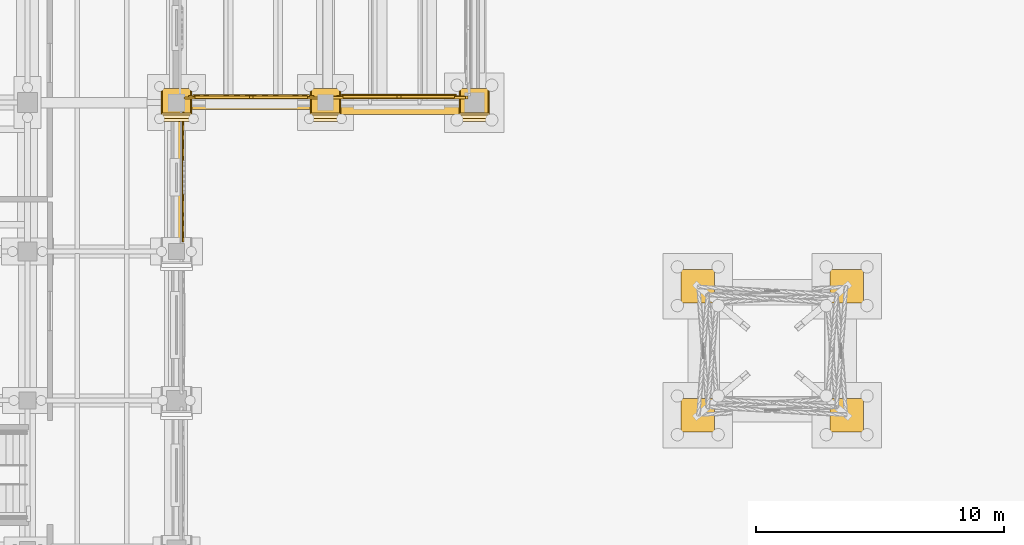
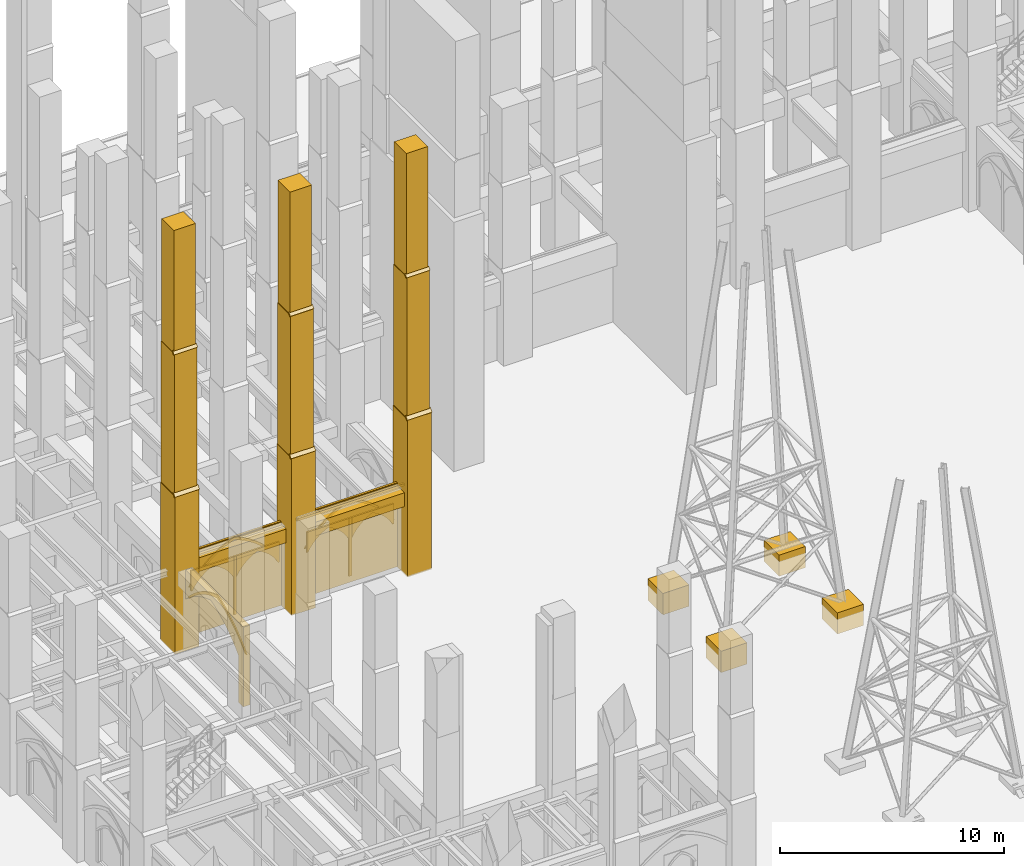
# One storey, part 102 of 135: 36 coverings.
"""IFC4 building model written with IfcOpenShell, lengths in metres."""

import ifcopenshell
import ifcopenshell.guid

model = None  # the IFC model being written
_history = None  # IfcOwnerHistory: only IFC2X3 demands one
_inside = {}  # id of a spatial element -> (the spatial element, [elements in it])
_under = {}  # id of a project, library or spatial element -> (it, [spatial elements below it])
_declared = {}  # id of a project -> (the project, [libraries it declares])
_typed = {}  # id of a type object -> (the type object, [elements of that type])
_made_of = {}  # id of a material, layer set ... -> (it, [elements and type objects made of it])


def new_model(schema):
    """Start an empty IFC model of exactly this schema.

    Asked for "IFC4X3", IfcOpenShell would pick the latest addendum, in which some entities
    have other attributes; the version numbers below select the first issue.
    IFC2X3 requires an IfcOwnerHistory on every rooted entity: one is made here for all.
    """
    global model, _history
    if schema == "IFC4X3":
        model = ifcopenshell.file(schema_version=(4, 3, 0, 0))
    else:
        model = ifcopenshell.file(schema=schema)
    _inside.clear()
    _under.clear()
    _declared.clear()
    _typed.clear()
    _made_of.clear()
    _history = None
    if model.schema == "IFC2X3":
        org = make("IfcOrganization", Name="unknown")
        user = make(
            "IfcPersonAndOrganization",
            ThePerson=make("IfcPerson", FamilyName="unknown"),
            TheOrganization=org,
        )
        app = make(
            "IfcApplication",
            ApplicationDeveloper=org,
            Version="unknown",
            ApplicationFullName="unknown",
            ApplicationIdentifier="unknown",
        )
        _history = make(
            "IfcOwnerHistory",
            OwningUser=user,
            OwningApplication=app,
            ChangeAction="ADDED",
            CreationDate=0,
        )
    return model


def make(cls, **values):
    """One entity of the class cls with the attributes given. An attribute that is None is left unset."""
    return model.create_entity(
        cls, **{name: value for name, value in values.items() if value is not None}
    )


def rooted(cls, **values):
    """An entity with a GlobalId (a new one), such as an element, a storey or a relation."""
    return make(cls, GlobalId=ifcopenshell.guid.new(), OwnerHistory=_history, **values)


def si_unit(unit_type, name, prefix=None):
    """IfcSIUnit, for example si_unit("LENGTHUNIT", "METRE", prefix="MILLI")."""
    return make("IfcSIUnit", UnitType=unit_type, Prefix=prefix, Name=name)


def assignment(units):
    """IfcUnitAssignment: the units of a project."""
    return None if units is None else make("IfcUnitAssignment", Units=units)


def point(xyz):
    """IfcCartesianPoint."""
    return None if xyz is None else make("IfcCartesianPoint", Coordinates=xyz)


def direction(xyz):
    """IfcDirection."""
    return None if xyz is None else make("IfcDirection", DirectionRatios=xyz)


def frame(location, z_axis=None, x_axis=None):
    """IfcAxis2Placement3D, a coordinate frame: its origin and axes. An axis left out is left unset."""
    return make(
        "IfcAxis2Placement3D",
        Location=point(location),
        Axis=direction(z_axis),
        RefDirection=direction(x_axis),
    )


def frame_2d(location, x_axis=None):
    """IfcAxis2Placement2D, a coordinate frame in the plane: its origin and x axis."""
    return make(
        "IfcAxis2Placement2D", Location=point(location), RefDirection=direction(x_axis)
    )


def origin():
    """The frame at (0, 0, 0) with its axes left unset."""
    return frame((0.0, 0.0, 0.0))


def origin_2d():
    """The frame at (0, 0) in the plane with its x axis left unset."""
    return frame_2d((0.0, 0.0))


def place(relative_to, where):
    """IfcLocalPlacement: puts the frame where relative to a parent placement (None: the world)."""
    return make(
        "IfcLocalPlacement", PlacementRelTo=relative_to, RelativePlacement=where
    )


def context(
    kind, dimensions, precision=None, world=None, true_north=None, identifier=None
):
    """IfcGeometricRepresentationContext, for example the 3D "Model" context."""
    return make(
        "IfcGeometricRepresentationContext",
        ContextIdentifier=identifier,
        ContextType=kind,
        CoordinateSpaceDimension=dimensions,
        Precision=precision,
        WorldCoordinateSystem=world,
        TrueNorth=true_north,
    )


def subcontext(parent, identifier, kind, view, scale=None):
    """IfcGeometricRepresentationSubContext, for example "Body" below "Model"."""
    return make(
        "IfcGeometricRepresentationSubContext",
        ContextIdentifier=identifier,
        ContextType=kind,
        ParentContext=parent,
        TargetScale=scale,
        TargetView=view,
    )


def project(units=None, contexts=None):
    """IfcProject with its units and contexts."""
    return rooted(
        "IfcProject",
        Name="project",
        RepresentationContexts=contexts,
        UnitsInContext=assignment(units),
    )


def spatial(cls, under=None, at=None, **own):
    """A site, building, storey or space (cls), placed at a placement, below another one or the project."""
    s = rooted(cls, ObjectPlacement=at, **own)
    if under is not None:
        _under.setdefault(under.id(), (under, []))[1].append(s)
    return s


def polyline(points):
    """IfcPolyline through the points."""
    return make("IfcPolyline", Points=[point(p) for p in points])


def profile(cls, at=None, kind="AREA", **sizes):
    """A parametric profile (cls). Its sizes go by their IFC names, for example OverallWidth=200.0."""
    return make(cls, ProfileType=kind, Position=at, **sizes)


def rectangle(**sizes):
    """IfcRectangleProfileDef."""
    return profile("IfcRectangleProfileDef", **sizes)


def outline(outer, holes=None, kind="AREA"):
    """IfcArbitraryClosedProfileDef: a profile drawn as a closed curve; with holes, ...WithVoids."""
    if holes is None:
        return make("IfcArbitraryClosedProfileDef", ProfileType=kind, OuterCurve=outer)
    return make(
        "IfcArbitraryProfileDefWithVoids",
        ProfileType=kind,
        OuterCurve=outer,
        InnerCurves=holes,
    )


def extrude(swept, where, along, depth):
    """IfcExtrudedAreaSolid: the profile swept, set in the frame where, extruded along a direction by depth."""
    return make(
        "IfcExtrudedAreaSolid",
        SweptArea=swept,
        Position=where,
        ExtrudedDirection=direction(along),
        Depth=depth,
    )


def shape(context_of_items, identifier, shape_type, items):
    """IfcShapeRepresentation: the items that make up one representation, for example the "Body"."""
    return make(
        "IfcShapeRepresentation",
        ContextOfItems=context_of_items,
        RepresentationIdentifier=identifier,
        RepresentationType=shape_type,
        Items=items,
    )


def material(Name=None, Category=None):
    """IfcMaterial."""
    return make("IfcMaterial", Name=Name, Category=Category)


def made_of(thing, what):
    """Note that an element or type object is made of a material, layer set ...; save() writes the relation."""
    if what is not None:
        _made_of.setdefault(what.id(), (what, []))[1].append(thing)
    return thing


def type_object(cls, material=None, **own):
    """A type object (cls), such as IfcWallType, which elements share."""
    return made_of(rooted(cls, **own), material)


def element(
    cls,
    number,
    at=None,
    inside=None,
    cuts=None,
    type_object=None,
    material=None,
    context=None,
    identifier="Body",
    shape_type=None,
    held_by="IfcProductDefinitionShape",
    body=None,
    shapes=None,
    **own,
):
    """One element of the class cls, such as IfcWall. Its Tag is "e" and its number.

    at: its placement. inside: the storey or other place that contains it. cuts: it is an
    opening in that element (IfcRelVoidsElement). A single representation is given by context,
    identifier, shape_type and body (its items); several are given by shapes. held_by: the class
    of the entity that holds the representations. save() writes the other relations.
    """
    e = rooted(cls, Tag="e%d" % number, ObjectPlacement=at, **own)
    if body is not None:
        shapes = [shape(context, identifier, shape_type, body)]
    if shapes is not None:
        e.Representation = make(held_by, Representations=shapes)
    if inside is not None:
        _inside.setdefault(inside.id(), (inside, []))[1].append(e)
    if cuts is not None:
        rooted(
            "IfcRelVoidsElement", RelatingBuildingElement=cuts, RelatedOpeningElement=e
        )
    if type_object is not None:
        _typed.setdefault(type_object.id(), (type_object, []))[1].append(e)
    return made_of(e, material)


def aggregate(whole, parts):
    """IfcRelAggregates: a whole, such as a stair, and the parts it consists of."""
    return rooted("IfcRelAggregates", RelatingObject=whole, RelatedObjects=parts)


def save(model, path):
    """Write the relations noted so far, then the file.

    IfcRelAggregates (storeys below a building ...), IfcRelContainedInSpatialStructure (elements
    in a storey), IfcRelDefinesByType, IfcRelAssociatesMaterial and IfcRelDeclares: one each for
    every whole, place, type object, material and project.
    """
    for whole, parts in _under.values():
        aggregate(whole, parts)
    for where, things in _inside.values():
        rooted(
            "IfcRelContainedInSpatialStructure",
            RelatedElements=things,
            RelatingStructure=where,
        )
    for kind, things in _typed.values():
        rooted("IfcRelDefinesByType", RelatedObjects=things, RelatingType=kind)
    for what, things in _made_of.values():
        rooted("IfcRelAssociatesMaterial", RelatedObjects=things, RelatingMaterial=what)
    for by, libraries in _declared.values():
        rooted("IfcRelDeclares", RelatingContext=by, RelatedDefinitions=libraries)
    model.write(path)


model = new_model("IFC4")

# Units and contexts
model_context = context("Model", 3, precision=1e-05, world=origin(), true_north=direction((0.0, 1.0)))
body_context = subcontext(model_context, "Body", "Model", "MODEL_VIEW")
ifc_project = project(units=[si_unit("LENGTHUNIT", "METRE"), si_unit("AREAUNIT", "SQUARE_METRE"), si_unit("VOLUMEUNIT", "CUBIC_METRE"), si_unit("PLANEANGLEUNIT", "RADIAN"), si_unit("MASSUNIT", "GRAM", prefix="KILO")], contexts=[model_context])

# Site, building, storey
site_placement = place(None, origin())
site = spatial("IfcSite", under=ifc_project, at=site_placement, CompositionType="ELEMENT")
building_placement = place(site_placement, origin())
building = spatial("IfcBuilding", under=site, at=building_placement, Name="Cumevento Cable Car Station", CompositionType="ELEMENT")
storey_placement = place(building_placement, origin())
storey = spatial("IfcBuildingStorey", under=building, at=storey_placement, Name="L01", CompositionType="ELEMENT", Elevation=0.0)

# Coverings
ifc_material = material(Name="Gnaisse Facoidal Stone Ashlar 85 MPa", Category="masonry")
covering_type = type_object("IfcCoveringType", Name="Gnaisse Ashlar Cladding CV-CL01", PredefinedType="CLADDING", material=ifc_material)
for number, where, z_axis, x_axis, name in (
    (1, (91.0, 20.39990234375, -0.7998046875), (0.0, 0.0, 1.0), (1.0, 0.0, 0.0), "Ropeway Pylon Stone Anchor Pedestal #3"),
    (2, (91.0, 25.60009765625, -0.7998046875), (0.0, 0.0, 1.0), (1.0, 0.0, 0.0), "Ropeway Pylon Stone Anchor Pedestal #4"),
    (3, (97.0, 20.39990234375, -0.7998046875), (0.0, 0.0, 1.0), (1.0, 0.0, 0.0), "Ropeway Pylon Stone Anchor Pedestal #7"),
    (4, (97.0, 25.60009765625, -0.7998046875), (0.0, 0.0, 1.0), (1.0, 0.0, 0.0), "Ropeway Pylon Stone Anchor Pedestal #8"),
):
    element("IfcCovering", number, at=place(storey_placement, frame(where, z_axis=z_axis, x_axis=x_axis)), inside=storey, type_object=covering_type, Name=name, PredefinedType="CLADDING", context=body_context, shape_type="SweptSolid", body=[
        extrude(rectangle(XDim=1.35009765625, YDim=1.35009765625, at=origin_2d()), origin(), (0.0, 0.0, 1.0), 1.159912109375),
    ])
covering_1_placement = place(storey_placement, frame((70.0, 32.909912109375, -0.06005859375), z_axis=(0.0, 0.0, 1.0), x_axis=(1.0, 0.0, 0.0)))
element("IfcCovering", 5, at=covering_1_placement, inside=storey, type_object=covering_type, Name="Stepped Gothic Stone Buttress Tier 1 bt:70.0:33.0", PredefinedType="CLADDING", context=body_context, shape_type="SweptSolid", body=[
    extrude(rectangle(XDim=1.239990234375, YDim=1.300048828125, at=origin_2d()), origin(), (0.0, 0.0, 1.0), 8.595703125),
])
covering_2_placement = place(storey_placement, frame((69.360107421875, 32.239990234375, 8.515625), z_axis=(0.0, -0.711135781079, 0.703054692658), x_axis=(1.0, 0.0, 0.0)))
element("IfcCovering", 6, at=covering_2_placement, inside=storey, type_object=covering_type, Name="Gothic Buttress Sloped Stone Weathering 1 bt:70.0:33.0", PredefinedType="CLADDING", context=body_context, shape_type="SweptSolid", body=[
    extrude(outline(polyline([(0.0, 0.0), (1.27978515625, 0.0), (1.27978515625, 0.24169083397703695), (0.0, 0.24169083397703695), (0.0, 0.0)])), origin(), (0.0, 0.0, -1.0), 0.090087890625),
])
covering_3_placement = place(storey_placement, frame((70.0, 32.969970703125, 8.0830078125), z_axis=(0.0, 0.0, 1.0), x_axis=(1.0, 0.0, 0.0)))
element("IfcCovering", 7, at=covering_3_placement, inside=storey, type_object=covering_type, Name="Stepped Gothic Stone Buttress Tier 2 bt:70.0:33.0", PredefinedType="CLADDING", context=body_context, shape_type="SweptSolid", body=[
    extrude(rectangle(XDim=1.179931640625, YDim=1.179931640625, at=origin_2d()), origin(), (0.0, 0.0, 1.0), 8.143310546875),
])
covering_4_placement = place(storey_placement, frame((69.389892578125, 32.360107421875, 16.206298828125), z_axis=(0.0, -0.714474823669, 0.699661151089), x_axis=(1.0, 0.0, 0.0)))
element("IfcCovering", 8, at=covering_4_placement, inside=storey, type_object=covering_type, Name="Gothic Buttress Sloped Stone Weathering 2 bt:70.0:33.0", PredefinedType="CLADDING", context=body_context, shape_type="SweptSolid", body=[
    extrude(outline(polyline([(0.0, 0.0), (1.22021484375, 0.0), (1.22021484375, 0.21424991728737655), (0.0, 0.21424991728737655), (0.0, 0.0)])), origin(), (0.0, 0.0, -1.0), 0.090087890625),
])
covering_5_placement = place(storey_placement, frame((70.0, 33.02001953125, 15.77392578125), z_axis=(0.0, 0.0, 1.0), x_axis=(1.0, 0.0, 0.0)))
element("IfcCovering", 9, at=covering_5_placement, inside=storey, type_object=covering_type, Name="Stepped Gothic Stone Buttress Tier 3 bt:70.0:33.0", PredefinedType="CLADDING", context=body_context, shape_type="SweptSolid", body=[
    extrude(rectangle(XDim=1.1201171875, YDim=1.080078125, at=origin_2d()), origin(), (0.0, 0.0, 1.0), 7.1259765625),
])
covering_6_placement = place(storey_placement, frame((76.0, 32.909912109375, -0.06005859375), z_axis=(0.0, 0.0, 1.0), x_axis=(1.0, 0.0, 0.0)))
element("IfcCovering", 10, at=covering_6_placement, inside=storey, type_object=covering_type, Name="Stepped Gothic Stone Buttress Tier 1 bt:76.0:33.0", PredefinedType="CLADDING", context=body_context, shape_type="SweptSolid", body=[
    extrude(rectangle(XDim=1.239990234375, YDim=1.300048828125, at=origin_2d()), origin(), (0.0, 0.0, 1.0), 8.595703125),
])
covering_7_placement = place(storey_placement, frame((75.360107421875, 32.239990234375, 8.515625), z_axis=(0.0, -0.711135781079, 0.703054692658), x_axis=(1.0, 0.0, 0.0)))
element("IfcCovering", 11, at=covering_7_placement, inside=storey, type_object=covering_type, Name="Gothic Buttress Sloped Stone Weathering 1 bt:76.0:33.0", PredefinedType="CLADDING", context=body_context, shape_type="SweptSolid", body=[
    extrude(outline(polyline([(0.0, 0.0), (1.27978515625, 0.0), (1.27978515625, 0.24169083397703695), (0.0, 0.24169083397703695), (0.0, 0.0)])), origin(), (0.0, 0.0, -1.0), 0.090087890625),
])
covering_8_placement = place(storey_placement, frame((76.0, 32.969970703125, 8.0830078125), z_axis=(0.0, 0.0, 1.0), x_axis=(1.0, 0.0, 0.0)))
element("IfcCovering", 12, at=covering_8_placement, inside=storey, type_object=covering_type, Name="Stepped Gothic Stone Buttress Tier 2 bt:76.0:33.0", PredefinedType="CLADDING", context=body_context, shape_type="SweptSolid", body=[
    extrude(rectangle(XDim=1.179931640625, YDim=1.179931640625, at=origin_2d()), origin(), (0.0, 0.0, 1.0), 8.143310546875),
])
covering_9_placement = place(storey_placement, frame((75.389892578125, 32.360107421875, 16.206298828125), z_axis=(0.0, -0.714474823669, 0.699661151089), x_axis=(1.0, 0.0, 0.0)))
element("IfcCovering", 13, at=covering_9_placement, inside=storey, type_object=covering_type, Name="Gothic Buttress Sloped Stone Weathering 2 bt:76.0:33.0", PredefinedType="CLADDING", context=body_context, shape_type="SweptSolid", body=[
    extrude(outline(polyline([(0.0, 0.0), (1.22021484375, 0.0), (1.22021484375, 0.21424991728737655), (0.0, 0.21424991728737655), (0.0, 0.0)])), origin(), (0.0, 0.0, -1.0), 0.090087890625),
])
covering_10_placement = place(storey_placement, frame((76.0, 33.02001953125, 15.77392578125), z_axis=(0.0, 0.0, 1.0), x_axis=(1.0, 0.0, 0.0)))
element("IfcCovering", 14, at=covering_10_placement, inside=storey, type_object=covering_type, Name="Stepped Gothic Stone Buttress Tier 3 bt:76.0:33.0", PredefinedType="CLADDING", context=body_context, shape_type="SweptSolid", body=[
    extrude(rectangle(XDim=1.1201171875, YDim=1.080078125, at=origin_2d()), origin(), (0.0, 0.0, 1.0), 7.1259765625),
])
covering_11_placement = place(storey_placement, frame((82.0, 32.909912109375, -0.06005859375), z_axis=(0.0, 0.0, 1.0), x_axis=(1.0, 0.0, 0.0)))
element("IfcCovering", 15, at=covering_11_placement, inside=storey, type_object=covering_type, Name="Stepped Gothic Stone Buttress Tier 1 bt:82.0:33.0", PredefinedType="CLADDING", context=body_context, shape_type="SweptSolid", body=[
    extrude(rectangle(XDim=1.239990234375, YDim=1.300048828125, at=origin_2d()), origin(), (0.0, 0.0, 1.0), 8.595703125),
])
covering_12_placement = place(storey_placement, frame((81.360107421875, 32.239990234375, 8.515625), z_axis=(0.0, -0.711135781079, 0.703054692658), x_axis=(1.0, 0.0, 0.0)))
element("IfcCovering", 16, at=covering_12_placement, inside=storey, type_object=covering_type, Name="Gothic Buttress Sloped Stone Weathering 1 bt:82.0:33.0", PredefinedType="CLADDING", context=body_context, shape_type="SweptSolid", body=[
    extrude(outline(polyline([(0.0, 0.0), (1.27978515625, 0.0), (1.27978515625, 0.24169083397703695), (0.0, 0.24169083397703695), (0.0, 0.0)])), origin(), (0.0, 0.0, -1.0), 0.090087890625),
])
covering_13_placement = place(storey_placement, frame((82.0, 32.969970703125, 8.0830078125), z_axis=(0.0, 0.0, 1.0), x_axis=(1.0, 0.0, 0.0)))
element("IfcCovering", 17, at=covering_13_placement, inside=storey, type_object=covering_type, Name="Stepped Gothic Stone Buttress Tier 2 bt:82.0:33.0", PredefinedType="CLADDING", context=body_context, shape_type="SweptSolid", body=[
    extrude(rectangle(XDim=1.179931640625, YDim=1.179931640625, at=origin_2d()), origin(), (0.0, 0.0, 1.0), 8.143310546875),
])
covering_14_placement = place(storey_placement, frame((81.389892578125, 32.360107421875, 16.206298828125), z_axis=(0.0, -0.714474823669, 0.699661151089), x_axis=(1.0, 0.0, 0.0)))
element("IfcCovering", 18, at=covering_14_placement, inside=storey, type_object=covering_type, Name="Gothic Buttress Sloped Stone Weathering 2 bt:82.0:33.0", PredefinedType="CLADDING", context=body_context, shape_type="SweptSolid", body=[
    extrude(outline(polyline([(0.0, 0.0), (1.22021484375, 0.0), (1.22021484375, 0.21424991728737655), (0.0, 0.21424991728737655), (0.0, 0.0)])), origin(), (0.0, 0.0, -1.0), 0.090087890625),
])
covering_15_placement = place(storey_placement, frame((82.0, 33.02001953125, 15.77392578125), z_axis=(0.0, 0.0, 1.0), x_axis=(1.0, 0.0, 0.0)))
element("IfcCovering", 19, at=covering_15_placement, inside=storey, type_object=covering_type, Name="Stepped Gothic Stone Buttress Tier 3 bt:82.0:33.0", PredefinedType="CLADDING", context=body_context, shape_type="SweptSolid", body=[
    extrude(rectangle(XDim=1.1201171875, YDim=1.080078125, at=origin_2d()), origin(), (0.0, 0.0, 1.0), 7.1259765625),
])
covering_16_placement = place(storey_placement, frame((73.012451171875, 32.909912109375, 3.64306640625), z_axis=(0.0, 0.0, 1.0), x_axis=(1.0, 0.0, 0.0)))
element("IfcCovering", 20, at=covering_16_placement, inside=storey, type_object=covering_type, Name="Gothic Stone Spandrel Stringcourse sc:0044", PredefinedType="CLADDING", context=body_context, shape_type="SweptSolid", body=[
    extrude(rectangle(XDim=5.385009765625, YDim=0.3798828125, at=origin_2d()), origin(), (0.0, 0.0, 1.0), 0.7470703125),
])
covering_17_placement = place(storey_placement, frame((78.96240234375, 32.85009765625, 3.64306640625), z_axis=(0.0, 0.0, 1.0), x_axis=(1.0, 0.0, 0.0)))
element("IfcCovering", 21, at=covering_17_placement, inside=storey, type_object=covering_type, Name="Gothic Stone Spandrel Stringcourse sc:0045", PredefinedType="CLADDING", context=body_context, shape_type="SweptSolid", body=[
    extrude(rectangle(XDim=5.514892578125, YDim=0.659912109375, at=origin_2d()), origin(), (0.0, 0.0, 1.0), 0.7470703125),
])
covering_18_placement = place(storey_placement, frame((78.96240234375, 33.20751953125, 4.260009765625), z_axis=(0.0, 0.0, 1.0), x_axis=(1.0, 0.0, 0.0)))
element("IfcCovering", 22, at=covering_18_placement, inside=storey, type_object=covering_type, Name="Gothic Cornice Dripstone Lip sc:0045", PredefinedType="CLADDING", context=body_context, shape_type="SweptSolid", body=[
    extrude(rectangle(XDim=5.554931640625, YDim=0.114990234375, at=origin_2d()), origin(), (0.0, 0.0, 1.0), 0.1298828125),
])
covering_19_placement = place(storey_placement, frame((70.35009765625, 33.0, 0.0), z_axis=(0.0, 0.0, 1.0), x_axis=(1.0, 0.0, 0.0)))
element("IfcCovering", 23, at=covering_19_placement, inside=storey, type_object=covering_type, Name="Exterior Gnaisse Stone Wall Ashlar #1", PredefinedType="CLADDING", context=body_context, shape_type="SweptSolid", body=[
    extrude(outline(polyline([(-0.0400390625, -0.02001953125), (5.364990234375, -0.02001953125), (5.364990234375, 4.52001953125), (-0.0400390625, 4.52001953125), (-0.0400390625, -0.02001953125)])), frame((0.0, 0.22509765625, 0.0), z_axis=(0.0, -1.0, 0.0), x_axis=(1.0, 0.0, 0.0)), (0.0, 0.0, 1.0), 0.0849609375),
])
placement_1 = place(storey_placement, frame((70.530029296875, 33.0, 0.300048828125), z_axis=(0.0, 0.0, 1.0), x_axis=(1.0, 0.0, 0.0)))
element("IfcCovering", 24, at=placement_1, inside=storey, type_object=covering_type, Name="Gothic Ogival Pointed-Arch Stone Spandrel blind_ogival:0001", PredefinedType="CLADDING", context=body_context, shape_type="SweptSolid", body=[
    extrude(outline(polyline([(-0.050048828125, 0.0), (-0.050048828125, 4.239990234375), (5.014892578125, 4.239990234375), (5.014892578125, 0.0), (4.705078125, 0.0), (4.705078125, 2.219970703125), (4.46337890625, 2.557373046875), (4.1923828125, 2.8720703125), (3.894287109375, 3.1611328125), (3.57177734375, 3.42236328125), (3.22705078125, 3.65380859375), (2.863037109375, 3.853515625), (2.482421875, 4.02001953125), (2.10205078125, 3.853515625), (1.738037109375, 3.65380859375), (1.393310546875, 3.42236328125), (1.07080078125, 3.1611328125), (0.772705078125, 2.8720703125), (0.501708984375, 2.557373046875), (0.260009765625, 2.219970703125), (0.260009765625, 0.0), (-0.050048828125, 0.0)])), frame((0.0, 0.280029296875, 0.0), z_axis=(0.0, -1.0, 0.0), x_axis=(1.0, 0.0, 0.0)), (0.0, 0.0, 1.0), 0.110107421875),
])
covering_21_placement = place(storey_placement, frame((70.530029296875, 33.0, 2.52001953125), z_axis=(0.0, 0.0, 1.0), x_axis=(1.0, 0.0, 0.0)))
element("IfcCovering", 25, at=covering_21_placement, inside=storey, type_object=covering_type, Name="Gothic Pointed Archivolt Hood Moulding blind_ogival:0001", PredefinedType="CLADDING", context=body_context, shape_type="SweptSolid", body=[
    extrude(outline(polyline([(0.260009765625, 0.0), (0.501708984375, 0.33740234375), (0.772705078125, 0.652099609375), (1.07080078125, 0.941162109375), (1.393310546875, 1.202392578125), (1.738037109375, 1.433837890625), (2.10205078125, 1.633544921875), (2.482421875, 1.800048828125), (2.863037109375, 1.633544921875), (3.22705078125, 1.433837890625), (3.57177734375, 1.202392578125), (3.894287109375, 0.941162109375), (4.1923828125, 0.652099609375), (4.46337890625, 0.33740234375), (4.705078125, 0.0), (4.825927734375, 0.0), (4.574951171875, 0.364990234375), (4.291748046875, 0.70556640625), (3.978515625, 1.018798828125), (3.637939453125, 1.30224609375), (3.273193359375, 1.553466796875), (2.886962890625, 1.7705078125), (2.482421875, 1.951171875), (2.078125, 1.7705078125), (1.69189453125, 1.553466796875), (1.3271484375, 1.30224609375), (0.986572265625, 1.018798828125), (0.67333984375, 0.70556640625), (0.39013671875, 0.364990234375), (0.138916015625, 0.0), (0.260009765625, 0.0)])), frame((0.0, 0.322021484375, 0.0), z_axis=(0.0, -1.0, 0.0), x_axis=(1.0, 0.0, 0.0)), (0.0, 0.0, 1.0), 0.06689453125),
])
element("IfcCovering", 26, at=placement_1, inside=storey, type_object=covering_type, Name="Gothic Bifora Stone Colonnette blind_ogival:0001 #1", PredefinedType="CLADDING", context=body_context, shape_type="SweptSolid", body=[
    extrude(outline(polyline([(2.407470703125, -0.02001953125), (2.5576171875, -0.02001953125), (2.5576171875, 3.156005859375), (2.407470703125, 3.156005859375), (2.407470703125, -0.02001953125)])), frame((0.0, 0.26806640625, 0.0), z_axis=(0.0, -1.0, 0.0), x_axis=(1.0, 0.0, 0.0)), (0.0, 0.0, 1.0), 0.094970703125),
])
for number, where, z_axis, x_axis, name in (
    (27, (70.760009765625, 33.0, 2.340087890625), (0.0, 0.0, 1.0), (1.0, 0.0, 0.0), "Gothic Ogival Pointed-Arch Stone Spandrel blind_ogival:0001:sub:0"),
    (28, (73.0576171875, 33.0, 2.340087890625), (0.0, 0.0, 1.0), (1.0, 0.0, 0.0), "Gothic Ogival Pointed-Arch Stone Spandrel blind_ogival:0001:sub:1"),
):
    element("IfcCovering", number, at=place(storey_placement, frame(where, z_axis=z_axis, x_axis=x_axis)), inside=storey, type_object=covering_type, Name=name, PredefinedType="CLADDING", context=body_context, shape_type="SweptSolid", body=[
        extrude(outline(polyline([(-0.02001953125, 0.0), (-0.02001953125, 1.115966796875), (2.2275390625, 1.115966796875), (2.2275390625, 0.0), (2.16748046875, 0.0), (2.04248046875, 0.213623046875), (1.893310546875, 0.41162109375), (1.72265625, 0.591064453125), (1.532470703125, 0.74951171875), (1.3251953125, 0.88525390625), (1.103759765625, 0.99609375), (0.88232421875, 0.88525390625), (0.675048828125, 0.74951171875), (0.48486328125, 0.591064453125), (0.314208984375, 0.41162109375), (0.1650390625, 0.213623046875), (0.0400390625, 0.0), (-0.02001953125, 0.0)])), frame((0.0, 0.263916015625, 0.0), z_axis=(0.0, -1.0, 0.0), x_axis=(1.0, 0.0, 0.0)), (0.0, 0.0, 1.0), 0.090087890625),
    ])
covering_23_placement = place(storey_placement, frame((76.324951171875, 33.0, 0.0), z_axis=(0.0, 0.0, 1.0), x_axis=(1.0, 0.0, 0.0)))
element("IfcCovering", 29, at=covering_23_placement, inside=storey, type_object=covering_type, Name="Exterior Gnaisse Stone Wall Ashlar #2", PredefinedType="CLADDING", context=body_context, shape_type="SweptSolid", body=[
    extrude(outline(polyline([(-0.0400390625, -0.02001953125), (5.31494140625, -0.02001953125), (5.31494140625, 4.52001953125), (-0.0400390625, 4.52001953125), (-0.0400390625, -0.02001953125)])), frame((0.0, 0.237548828125, 0.0), z_axis=(0.0, -1.0, 0.0), x_axis=(1.0, 0.0, 0.0)), (0.0, 0.0, 1.0), 0.0849609375),
])
placement_2 = place(storey_placement, frame((76.5048828125, 33.0, 0.300048828125), z_axis=(0.0, 0.0, 1.0), x_axis=(1.0, 0.0, 0.0)))
element("IfcCovering", 30, at=placement_2, inside=storey, type_object=covering_type, Name="Gothic Ogival Pointed-Arch Stone Spandrel blind_ogival:0002", PredefinedType="CLADDING", context=body_context, shape_type="SweptSolid", body=[
    extrude(outline(polyline([(-0.050048828125, 0.0), (-0.050048828125, 4.239990234375), (4.965087890625, 4.239990234375), (4.965087890625, 0.0), (4.655029296875, 0.0), (4.655029296875, 2.219970703125), (4.41748046875, 2.55712890625), (4.150390625, 2.87158203125), (3.856201171875, 3.16064453125), (3.537109375, 3.421875), (3.19580078125, 3.653564453125), (2.8349609375, 3.853515625), (2.45751953125, 4.02001953125), (2.080078125, 3.853515625), (1.71923828125, 3.653564453125), (1.3779296875, 3.421875), (1.058837890625, 3.16064453125), (0.7646484375, 2.87158203125), (0.49755859375, 2.55712890625), (0.260009765625, 2.219970703125), (0.260009765625, 0.0), (-0.050048828125, 0.0)])), frame((0.0, 0.29248046875, 0.0), z_axis=(0.0, -1.0, 0.0), x_axis=(1.0, 0.0, 0.0)), (0.0, 0.0, 1.0), 0.110107421875),
])
covering_25_placement = place(storey_placement, frame((76.5048828125, 33.0, 2.52001953125), z_axis=(0.0, 0.0, 1.0), x_axis=(1.0, 0.0, 0.0)))
element("IfcCovering", 31, at=covering_25_placement, inside=storey, type_object=covering_type, Name="Gothic Pointed Archivolt Hood Moulding blind_ogival:0002", PredefinedType="CLADDING", context=body_context, shape_type="SweptSolid", body=[
    extrude(outline(polyline([(0.260009765625, 0.0), (0.49755859375, 0.337158203125), (0.7646484375, 0.651611328125), (1.058837890625, 0.940673828125), (1.3779296875, 1.201904296875), (1.71923828125, 1.43359375), (2.080078125, 1.633544921875), (2.45751953125, 1.800048828125), (2.8349609375, 1.633544921875), (3.19580078125, 1.43359375), (3.537109375, 1.201904296875), (3.856201171875, 0.940673828125), (4.150390625, 0.651611328125), (4.41748046875, 0.337158203125), (4.655029296875, 0.0), (4.77587890625, 0.0), (4.529052734375, 0.364501953125), (4.249755859375, 0.704833984375), (3.9404296875, 1.01806640625), (3.603515625, 1.3017578125), (3.241943359375, 1.552978515625), (2.85888671875, 1.770263671875), (2.45751953125, 1.951171875), (2.05615234375, 1.770263671875), (1.673095703125, 1.552978515625), (1.3115234375, 1.3017578125), (0.974609375, 1.01806640625), (0.665283203125, 0.704833984375), (0.385986328125, 0.364501953125), (0.138916015625, 0.0), (0.260009765625, 0.0)])), frame((0.0, 0.33447265625, 0.0), z_axis=(0.0, -1.0, 0.0), x_axis=(1.0, 0.0, 0.0)), (0.0, 0.0, 1.0), 0.06689453125),
])
element("IfcCovering", 32, at=placement_2, inside=storey, type_object=covering_type, Name="Gothic Bifora Stone Colonnette blind_ogival:0002 #1", PredefinedType="CLADDING", context=body_context, shape_type="SweptSolid", body=[
    extrude(outline(polyline([(2.382568359375, -0.02001953125), (2.532470703125, -0.02001953125), (2.532470703125, 3.156005859375), (2.382568359375, 3.156005859375), (2.382568359375, -0.02001953125)])), frame((0.0, 0.280517578125, 0.0), z_axis=(0.0, -1.0, 0.0), x_axis=(1.0, 0.0, 0.0)), (0.0, 0.0, 1.0), 0.094970703125),
])
for number, where, z_axis, x_axis, name in (
    (33, (76.735107421875, 33.0, 2.340087890625), (0.0, 0.0, 1.0), (1.0, 0.0, 0.0), "Gothic Ogival Pointed-Arch Stone Spandrel blind_ogival:0002:sub:0"),
    (34, (79.007568359375, 33.0, 2.340087890625), (0.0, 0.0, 1.0), (1.0, 0.0, 0.0), "Gothic Ogival Pointed-Arch Stone Spandrel blind_ogival:0002:sub:1"),
):
    element("IfcCovering", number, at=place(storey_placement, frame(where, z_axis=z_axis, x_axis=x_axis)), inside=storey, type_object=covering_type, Name=name, PredefinedType="CLADDING", context=body_context, shape_type="SweptSolid", body=[
        extrude(outline(polyline([(-0.02001953125, 0.0), (-0.02001953125, 1.115966796875), (2.202392578125, 1.115966796875), (2.202392578125, 0.0), (2.142578125, 0.0), (2.02001953125, 0.21337890625), (1.873291015625, 0.4111328125), (1.704833984375, 0.590576171875), (1.5166015625, 0.749267578125), (1.31103515625, 0.885009765625), (1.09130859375, 0.99609375), (0.87158203125, 0.885009765625), (0.666015625, 0.749267578125), (0.477783203125, 0.590576171875), (0.309326171875, 0.4111328125), (0.16259765625, 0.21337890625), (0.0400390625, 0.0), (-0.02001953125, 0.0)])), frame((0.0, 0.276611328125, 0.0), z_axis=(0.0, -1.0, 0.0), x_axis=(1.0, 0.0, 0.0)), (0.0, 0.0, 1.0), 0.090087890625),
    ])
covering_27_placement = place(storey_placement, frame((70.0, 32.64990234375, 0.0), z_axis=(0.0, 0.0, 1.0), x_axis=(0.0, -1.0, 0.0)))
element("IfcCovering", 35, at=covering_27_placement, inside=storey, type_object=covering_type, Name="Gothic Ogival Pointed-Arch Stone Spandrel cloister_arcade:E:27", PredefinedType="CLADDING", context=body_context, shape_type="SweptSolid", body=[
    extrude(outline(polyline([(-0.25, 0.0), (-0.25, 4.35009765625), (5.550048828125, 4.35009765625), (5.550048828125, 0.0), (5.1201171875, 0.0), (5.1201171875, 2.550048828125), (4.85791015625, 2.80615234375), (4.580078125, 3.044921875), (4.287841796875, 3.265869140625), (3.98193359375, 3.467529296875), (3.6640625, 3.649658203125), (3.335205078125, 3.81103515625), (2.996826171875, 3.951416015625), (2.64990234375, 4.070068359375), (2.30322265625, 3.951416015625), (1.96484375, 3.81103515625), (1.635986328125, 3.649658203125), (1.318115234375, 3.467529296875), (1.01220703125, 3.265869140625), (0.719970703125, 3.044921875), (0.442138671875, 2.80615234375), (0.179931640625, 2.550048828125), (0.179931640625, 0.0), (-0.25, 0.0)])), frame((0.0, 0.260009765625, 0.0), z_axis=(0.0, -1.0, 0.0), x_axis=(1.0, 0.0, 0.0)), (0.0, 0.0, 1.0), 0.340087890625),
])
covering_28_placement = place(storey_placement, frame((70.0, 32.64990234375, 2.550048828125), z_axis=(0.0, 0.0, 1.0), x_axis=(0.0, -1.0, 0.0)))
element("IfcCovering", 36, at=covering_28_placement, inside=storey, type_object=covering_type, Name="Gothic Pointed Archivolt Hood Moulding cloister_arcade:E:27", PredefinedType="CLADDING", context=body_context, shape_type="SweptSolid", body=[
    extrude(outline(polyline([(0.179931640625, 0.0), (0.442138671875, 0.256103515625), (0.719970703125, 0.494873046875), (1.01220703125, 0.7158203125), (1.318115234375, 0.91748046875), (1.635986328125, 1.099609375), (1.96484375, 1.260986328125), (2.30322265625, 1.4013671875), (2.64990234375, 1.52001953125), (2.996826171875, 1.4013671875), (3.335205078125, 1.260986328125), (3.6640625, 1.099609375), (3.98193359375, 0.91748046875), (4.287841796875, 0.7158203125), (4.580078125, 0.494873046875), (4.85791015625, 0.256103515625), (5.1201171875, 0.0), (5.260009765625, 0.0), (4.988037109375, 0.284423828125), (4.697998046875, 0.55029296875), (4.390625, 0.796142578125), (4.06787109375, 1.021484375), (3.73095703125, 1.224609375), (3.38134765625, 1.4052734375), (3.0205078125, 1.562255859375), (2.64990234375, 1.695068359375), (2.279541015625, 1.562255859375), (1.918701171875, 1.4052734375), (1.569091796875, 1.224609375), (1.232177734375, 1.021484375), (0.909423828125, 0.796142578125), (0.60205078125, 0.55029296875), (0.31201171875, 0.284423828125), (0.0400390625, 0.0), (0.179931640625, 0.0)])), frame((0.0, 0.302001953125, 0.0), z_axis=(0.0, -1.0, 0.0), x_axis=(1.0, 0.0, 0.0)), (0.0, 0.0, 1.0), 0.06689453125),
])

save(model, "model.ifc")
